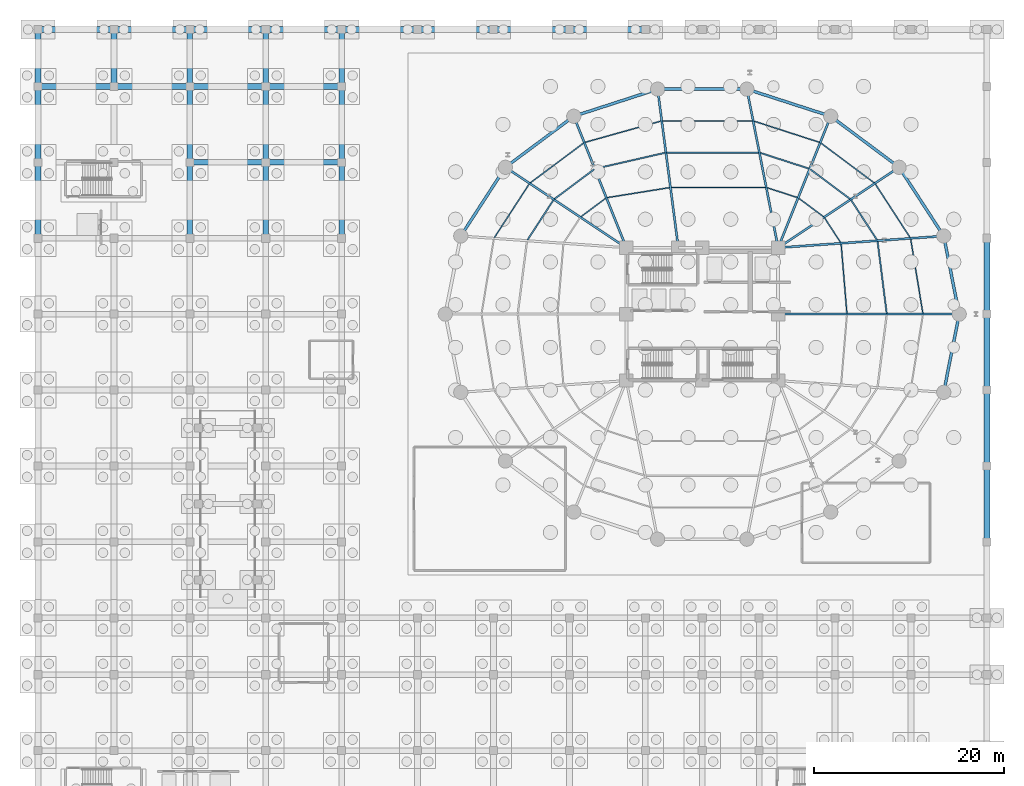
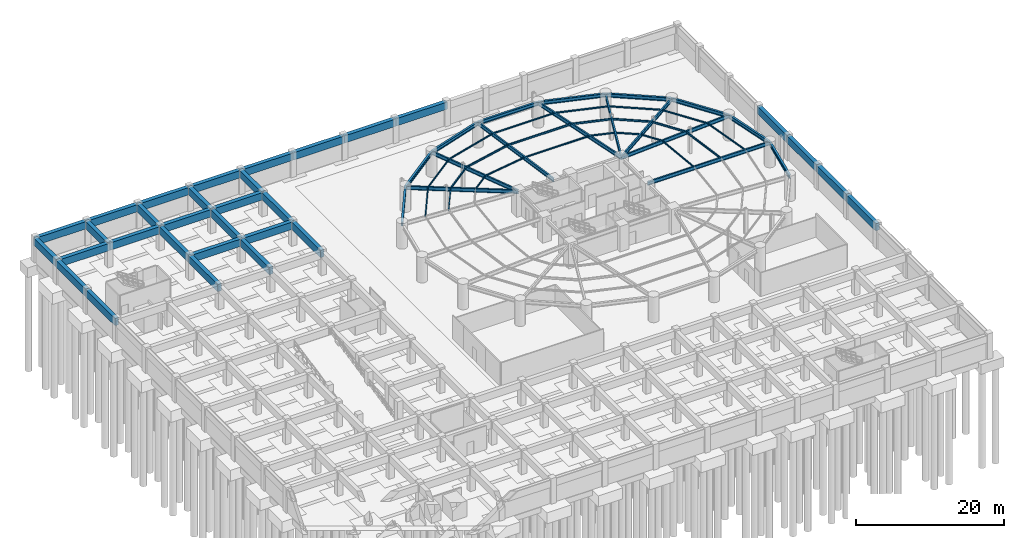
# One storey, part 10 of 23: 71 beams.
"""IFC4 building model written with IfcOpenShell, lengths in metres."""

from ifc_helpers import new_model, si_unit, direction, frame, origin, origin_2d, place, context, subcontext, project, spatial, rectangle, i_section, extrude, material, material_profile, profile_set, type_object, element, save


model = new_model("IFC4")

# Units and contexts
model_context = context("Model", 3, precision=1e-05, world=origin(), true_north=direction((0.0, 1.0)))
body_context = subcontext(model_context, "Body", "Model", "MODEL_VIEW")
ifc_project = project(units=[si_unit("LENGTHUNIT", "METRE"), si_unit("AREAUNIT", "SQUARE_METRE"), si_unit("VOLUMEUNIT", "CUBIC_METRE"), si_unit("PLANEANGLEUNIT", "RADIAN"), si_unit("MASSUNIT", "GRAM", prefix="KILO")], contexts=[model_context])

# Site, building, storey
site_placement = place(None, origin())
site = spatial("IfcSite", under=ifc_project, at=site_placement, CompositionType="ELEMENT")
building_placement = place(site_placement, origin())
building = spatial("IfcBuilding", under=site, at=building_placement, Name="Kelanora Arch Commons", CompositionType="ELEMENT")
storey_placement = place(building_placement, frame((0.0, 0.0, -8.39990234375)))
storey = spatial("IfcBuildingStorey", under=building, at=storey_placement, Name="B02", CompositionType="ELEMENT", Elevation=-8.39990234375)

# Beams
ifc_material_1 = material(Name="Concrete C45/55", Category="concrete")
ifc_material_profile_1 = material_profile(ifc_material_1, rectangle(XDim=0.60009765625, YDim=1.199951171875, at=origin_2d()), Name="RCB600x1200")
ifc_profile_set_1 = profile_set([ifc_material_profile_1], Name="Concrete C45/55")
beam_type_1 = type_object("IfcBeamType", Name="BM-BSMT-RC", PredefinedType="BEAM", material=ifc_profile_set_1)
for number, where, z_axis, x_axis, name in (
    (1, (4.0, 66.0, 3.2998046875), (0.0, 1.0, 0.0), (-1.0, 0.0, 0.0), "Market/Basement Frame Beam 018 B02"),
    (2, (4.0, 74.0, 3.2998046875), (0.0, 1.0, 0.0), (-1.0, 0.0, 0.0), "Market/Basement Frame Beam 019 B02"),
    (3, (4.0, 82.0, 3.2998046875), (1.0, 0.0, 0.0), (0.0, 1.0, 0.0), "Market/Basement Frame Beam 020 B02"),
):
    element("IfcBeam", number, at=place(storey_placement, frame(where, z_axis=z_axis, x_axis=x_axis)), inside=storey, type_object=beam_type_1, Name=name, PredefinedType="BEAM", context=body_context, shape_type="SweptSolid", body=[
        extrude(rectangle(XDim=0.60009765625, YDim=1.199951171875, at=origin_2d()), origin(), (0.0, 0.0, 1.0), 8.0),
    ])
beam_1_placement = place(storey_placement, frame((4.0, 82.0, 3.2998046875), z_axis=(0.0, 1.0, 0.0), x_axis=(-1.0, 0.0, 0.0)))
element("IfcBeam", 4, at=beam_1_placement, inside=storey, type_object=beam_type_1, Name="Market/Basement Frame Beam 021 B02", PredefinedType="BEAM", context=body_context, shape_type="SweptSolid", body=[
    extrude(rectangle(XDim=0.60009765625, YDim=1.199951171875, at=origin_2d()), origin(), (0.0, 0.0, 1.0), 6.0),
])
for number, where, z_axis, x_axis, name in (
    (5, (4.0, 88.0, 3.2998046875), (1.0, 0.0, 0.0), (0.0, 1.0, 0.0), "Market/Basement Frame Beam 022 B02"),
    (6, (12.0, 82.0, 3.2998046875), (1.0, 0.0, 0.0), (0.0, 1.0, 0.0), "Market/Basement Frame Beam 039 B02"),
):
    element("IfcBeam", number, at=place(storey_placement, frame(where, z_axis=z_axis, x_axis=x_axis)), inside=storey, type_object=beam_type_1, Name=name, PredefinedType="BEAM", context=body_context, shape_type="SweptSolid", body=[
        extrude(rectangle(XDim=0.60009765625, YDim=1.199951171875, at=origin_2d()), origin(), (0.0, 0.0, 1.0), 8.0),
    ])
beam_2_placement = place(storey_placement, frame((12.0, 82.0, 3.2998046875), z_axis=(0.0, 1.0, 0.0), x_axis=(-1.0, 0.0, 0.0)))
element("IfcBeam", 7, at=beam_2_placement, inside=storey, type_object=beam_type_1, Name="Market/Basement Frame Beam 040 B02", PredefinedType="BEAM", context=body_context, shape_type="SweptSolid", body=[
    extrude(rectangle(XDim=0.60009765625, YDim=1.199951171875, at=origin_2d()), origin(), (0.0, 0.0, 1.0), 6.0),
])
for number, where, z_axis, x_axis, name in (
    (8, (12.0, 88.0, 3.2998046875), (1.0, 0.0, 0.0), (0.0, 1.0, 0.0), "Market/Basement Frame Beam 041 B02"),
    (9, (20.0, 66.0, 3.2998046875), (0.0, 1.0, 0.0), (-1.0, 0.0, 0.0), "Market/Basement Frame Beam 057 B02"),
    (10, (20.0, 74.0, 3.2998046875), (1.0, 0.0, 0.0), (0.0, 1.0, 0.0), "Market/Basement Frame Beam 058 B02"),
    (11, (20.0, 74.0, 3.2998046875), (0.0, 1.0, 0.0), (-1.0, 0.0, 0.0), "Market/Basement Frame Beam 059 B02"),
    (12, (20.0, 82.0, 3.2998046875), (1.0, 0.0, 0.0), (0.0, 1.0, 0.0), "Market/Basement Frame Beam 060 B02"),
):
    element("IfcBeam", number, at=place(storey_placement, frame(where, z_axis=z_axis, x_axis=x_axis)), inside=storey, type_object=beam_type_1, Name=name, PredefinedType="BEAM", context=body_context, shape_type="SweptSolid", body=[
        extrude(rectangle(XDim=0.60009765625, YDim=1.199951171875, at=origin_2d()), origin(), (0.0, 0.0, 1.0), 8.0),
    ])
beam_3_placement = place(storey_placement, frame((20.0, 82.0, 3.2998046875), z_axis=(0.0, 1.0, 0.0), x_axis=(-1.0, 0.0, 0.0)))
element("IfcBeam", 13, at=beam_3_placement, inside=storey, type_object=beam_type_1, Name="Market/Basement Frame Beam 061 B02", PredefinedType="BEAM", context=body_context, shape_type="SweptSolid", body=[
    extrude(rectangle(XDim=0.60009765625, YDim=1.199951171875, at=origin_2d()), origin(), (0.0, 0.0, 1.0), 6.0),
])
for number, where, z_axis, x_axis, name in (
    (14, (20.0, 88.0, 3.2998046875), (1.0, 0.0, 0.0), (0.0, 1.0, 0.0), "Market/Basement Frame Beam 062 B02"),
    (15, (28.0, 66.0, 3.2998046875), (0.0, 1.0, 0.0), (-1.0, 0.0, 0.0), "Market/Basement Frame Beam 080 B02"),
    (16, (28.0, 74.0, 3.2998046875), (1.0, 0.0, 0.0), (0.0, 1.0, 0.0), "Market/Basement Frame Beam 081 B02"),
    (17, (28.0, 74.0, 3.2998046875), (0.0, 1.0, 0.0), (-1.0, 0.0, 0.0), "Market/Basement Frame Beam 082 B02"),
    (18, (28.0, 82.0, 3.2998046875), (1.0, 0.0, 0.0), (0.0, 1.0, 0.0), "Market/Basement Frame Beam 083 B02"),
):
    element("IfcBeam", number, at=place(storey_placement, frame(where, z_axis=z_axis, x_axis=x_axis)), inside=storey, type_object=beam_type_1, Name=name, PredefinedType="BEAM", context=body_context, shape_type="SweptSolid", body=[
        extrude(rectangle(XDim=0.60009765625, YDim=1.199951171875, at=origin_2d()), origin(), (0.0, 0.0, 1.0), 8.0),
    ])
beam_4_placement = place(storey_placement, frame((28.0, 82.0, 3.2998046875), z_axis=(0.0, 1.0, 0.0), x_axis=(-1.0, 0.0, 0.0)))
element("IfcBeam", 19, at=beam_4_placement, inside=storey, type_object=beam_type_1, Name="Market/Basement Frame Beam 084 B02", PredefinedType="BEAM", context=body_context, shape_type="SweptSolid", body=[
    extrude(rectangle(XDim=0.60009765625, YDim=1.199951171875, at=origin_2d()), origin(), (0.0, 0.0, 1.0), 6.0),
])
for number, where, z_axis, x_axis, name in (
    (20, (28.0, 88.0, 3.2998046875), (1.0, 0.0, 0.0), (0.0, 1.0, 0.0), "Market/Basement Frame Beam 085 B02"),
    (21, (36.0, 66.0, 3.2998046875), (0.0, 1.0, 0.0), (-1.0, 0.0, 0.0), "Market/Basement Frame Beam 098 B02"),
    (22, (36.0, 74.0, 3.2998046875), (0.0, 1.0, 0.0), (-1.0, 0.0, 0.0), "Market/Basement Frame Beam 099 B02"),
):
    element("IfcBeam", number, at=place(storey_placement, frame(where, z_axis=z_axis, x_axis=x_axis)), inside=storey, type_object=beam_type_1, Name=name, PredefinedType="BEAM", context=body_context, shape_type="SweptSolid", body=[
        extrude(rectangle(XDim=0.60009765625, YDim=1.199951171875, at=origin_2d()), origin(), (0.0, 0.0, 1.0), 8.0),
    ])
beam_5_placement = place(storey_placement, frame((36.0, 82.0, 3.2998046875), z_axis=(0.0, 1.0, 0.0), x_axis=(-1.0, 0.0, 0.0)))
element("IfcBeam", 23, at=beam_5_placement, inside=storey, type_object=beam_type_1, Name="Market/Basement Frame Beam 100 B02", PredefinedType="BEAM", context=body_context, shape_type="SweptSolid", body=[
    extrude(rectangle(XDim=0.60009765625, YDim=1.199951171875, at=origin_2d()), origin(), (0.0, 0.0, 1.0), 6.0),
])
for number, where, z_axis, x_axis, name in (
    (24, (36.0, 88.0, 3.2998046875), (1.0, 0.0, 0.0), (0.0, 1.0, 0.0), "Market/Basement Frame Beam 101 B02"),
    (25, (44.0, 88.0, 3.2998046875), (1.0, 0.0, 0.0), (0.0, 1.0, 0.0), "Market/Basement Frame Beam 109 B02"),
    (26, (52.0, 88.0, 3.2998046875), (1.0, 0.0, 0.0), (0.0, 1.0, 0.0), "Market/Basement Frame Beam 117 B02"),
    (27, (60.0, 88.0, 3.2998046875), (1.0, 0.0, 0.0), (0.0, 1.0, 0.0), "Market/Basement Frame Beam 125 B02"),
    (28, (104.0, 34.0, 3.2998046875), (0.0, 1.0, 0.0), (-1.0, 0.0, 0.0), "Market/Basement Frame Beam 169 B02"),
    (29, (104.0, 42.0, 3.2998046875), (0.0, 1.0, 0.0), (-1.0, 0.0, 0.0), "Market/Basement Frame Beam 170 B02"),
    (30, (104.0, 50.0, 3.2998046875), (0.0, 1.0, 0.0), (-1.0, 0.0, 0.0), "Market/Basement Frame Beam 171 B02"),
    (31, (104.0, 58.0, 3.2998046875), (0.0, 1.0, 0.0), (-1.0, 0.0, 0.0), "Market/Basement Frame Beam 172 B02"),
):
    element("IfcBeam", number, at=place(storey_placement, frame(where, z_axis=z_axis, x_axis=x_axis)), inside=storey, type_object=beam_type_1, Name=name, PredefinedType="BEAM", context=body_context, shape_type="SweptSolid", body=[
        extrude(rectangle(XDim=0.60009765625, YDim=1.199951171875, at=origin_2d()), origin(), (0.0, 0.0, 1.0), 8.0),
    ])
ifc_material_2 = material(Name="Steel S355", Category="steel")
ifc_material_profile_2 = material_profile(ifc_material_2, i_section(OverallWidth=0.14990234375, OverallDepth=0.300048828125, WebThickness=0.007080078125, FlangeThickness=0.0107421875, FilletRadius=0.014892578125, at=origin_2d()), Name="IPE300")
ifc_profile_set_2 = profile_set([ifc_material_profile_2], Name="Steel S355")
beam_type_2 = type_object("IfcBeamType", Name="BM-JST-01", PredefinedType="JOIST", material=ifc_profile_set_2)
beam_6_placement = place(storey_placement, frame((93.437255859375, 58.084228515625, 3.75), z_axis=(-0.125565841651, 0.992085288375, 0.0), x_axis=(-0.992085288375, -0.125565841651, 0.0)))
element("IfcBeam", 32, at=beam_6_placement, inside=storey, type_object=beam_type_2, Name="Secondary Chord Joist BJB-00 B02", PredefinedType="JOIST", context=body_context, shape_type="SweptSolid", body=[
    extrude(i_section(OverallWidth=0.14990234375, OverallDepth=0.300048828125, WebThickness=0.007080078125, FlangeThickness=0.0107421875, FilletRadius=0.014892578125, at=origin_2d()), origin(), (0.0, 0.0, 1.0), 7.63330078125),
])
beam_7_placement = place(storey_placement, frame((92.421875, 65.812744140625, 3.75), z_axis=(-0.544551588245, 0.838727350061, 0.0), x_axis=(-0.838727350061, -0.544551588245, 0.0)))
element("IfcBeam", 33, at=beam_7_placement, inside=storey, type_object=beam_type_2, Name="Secondary Chord Joist BJB-02 B02", PredefinedType="JOIST", context=body_context, shape_type="SweptSolid", body=[
    extrude(i_section(OverallWidth=0.14990234375, OverallDepth=0.300048828125, WebThickness=0.007080078125, FlangeThickness=0.0107421875, FilletRadius=0.014892578125, at=origin_2d()), origin(), (0.0, 0.0, 1.0), 5.010986328125),
])
beam_8_placement = place(storey_placement, frame((89.57861328125, 70.1376953125, 3.75), z_axis=(-0.801478251559, 0.598023922831, 0.0), x_axis=(-0.598023922831, -0.801478251559, 0.0)))
element("IfcBeam", 34, at=beam_8_placement, inside=storey, type_object=beam_type_2, Name="Secondary Chord Joist BJB-04 B02", PredefinedType="JOIST", context=body_context, shape_type="SweptSolid", body=[
    extrude(i_section(OverallWidth=0.14990234375, OverallDepth=0.300048828125, WebThickness=0.007080078125, FlangeThickness=0.0107421875, FilletRadius=0.014892578125, at=origin_2d()), origin(), (0.0, 0.0, 1.0), 5.223388671875),
])
beam_9_placement = place(storey_placement, frame((85.2431640625, 73.33837890625, 3.75), z_axis=(-0.951412209627, 0.307920131482, 0.0), x_axis=(-0.307920131482, -0.951412209627, 0.0)))
element("IfcBeam", 35, at=beam_9_placement, inside=storey, type_object=beam_type_2, Name="Secondary Chord Joist BJB-06 B02", PredefinedType="JOIST", context=body_context, shape_type="SweptSolid", body=[
    extrude(i_section(OverallWidth=0.14990234375, OverallDepth=0.300048828125, WebThickness=0.007080078125, FlangeThickness=0.0107421875, FilletRadius=0.014892578125, at=origin_2d()), origin(), (0.0, 0.0, 1.0), 5.4033203125),
])
beam_10_placement = place(storey_placement, frame((79.936279296875, 75.028564453125, 3.75), z_axis=(-1.0, 0.0, 0.0), x_axis=(0.0, -1.0, 0.0)))
element("IfcBeam", 36, at=beam_10_placement, inside=storey, type_object=beam_type_2, Name="Secondary Chord Joist BJB-08 B02", PredefinedType="JOIST", context=body_context, shape_type="SweptSolid", body=[
    extrude(i_section(OverallWidth=0.14990234375, OverallDepth=0.300048828125, WebThickness=0.007080078125, FlangeThickness=0.0107421875, FilletRadius=0.014892578125, at=origin_2d()), origin(), (0.0, 0.0, 1.0), 9.6806640625),
])
beam_11_placement = place(storey_placement, frame((70.087646484375, 75.009521484375, 3.75), z_axis=(-0.974770159254, -0.223210968877, 0.0), x_axis=(0.223210968877, -0.974770159254, 0.0)))
element("IfcBeam", 37, at=beam_11_placement, inside=storey, type_object=beam_type_2, Name="Secondary Chord Joist BJB-10 B02", PredefinedType="JOIST", context=body_context, shape_type="SweptSolid", body=[
    extrude(i_section(OverallWidth=0.14990234375, OverallDepth=0.300048828125, WebThickness=0.007080078125, FlangeThickness=0.0107421875, FilletRadius=0.014892578125, at=origin_2d()), origin(), (0.0, 0.0, 1.0), 7.5185546875),
])
beam_12_placement = place(storey_placement, frame((62.60791015625, 73.261474609375, 3.75), z_axis=(-0.801478251559, -0.598023922831, 0.0), x_axis=(0.598023922831, -0.801478251559, 0.0)))
element("IfcBeam", 38, at=beam_12_placement, inside=storey, type_object=beam_type_2, Name="Secondary Chord Joist BJB-12 B02", PredefinedType="JOIST", context=body_context, shape_type="SweptSolid", body=[
    extrude(i_section(OverallWidth=0.14990234375, OverallDepth=0.300048828125, WebThickness=0.007080078125, FlangeThickness=0.0107421875, FilletRadius=0.014892578125, at=origin_2d()), origin(), (0.0, 0.0, 1.0), 5.223388671875),
])
beam_13_placement = place(storey_placement, frame((58.306884765625, 70.015625, 3.75), z_axis=(-0.544551588245, -0.838727350061, 0.0), x_axis=(0.838727350061, -0.544551588245, 0.0)))
element("IfcBeam", 39, at=beam_13_placement, inside=storey, type_object=beam_type_2, Name="Secondary Chord Joist BJB-14 B02", PredefinedType="JOIST", context=body_context, shape_type="SweptSolid", body=[
    extrude(i_section(OverallWidth=0.14990234375, OverallDepth=0.300048828125, WebThickness=0.007080078125, FlangeThickness=0.0107421875, FilletRadius=0.014892578125, at=origin_2d()), origin(), (0.0, 0.0, 1.0), 5.010986328125),
])
ifc_material_profile_3 = material_profile(ifc_material_2, i_section(OverallWidth=0.1201171875, OverallDepth=0.239990234375, WebThickness=0.006103515625, FlangeThickness=0.009765625, FilletRadius=0.014892578125, at=origin_2d()), Name="IPE240")
ifc_profile_set_3 = profile_set([ifc_material_profile_3], Name="Steel S355")
beam_type_3 = type_object("IfcBeamType", Name="BM-JST-02", PredefinedType="JOIST", material=ifc_profile_set_3)
beam_14_placement = place(storey_placement, frame((89.243408203125, 58.084716796875, 3.77978515625), z_axis=(-0.082786209886, 0.996567330115, 0.0), x_axis=(-0.996567330115, -0.082786209886, 0.0)))
element("IfcBeam", 40, at=beam_14_placement, inside=storey, type_object=beam_type_3, Name="Secondary Chord Joist BJA-00 B02", PredefinedType="JOIST", context=body_context, shape_type="SweptSolid", body=[
    extrude(i_section(OverallWidth=0.1201171875, OverallDepth=0.239990234375, WebThickness=0.006103515625, FlangeThickness=0.009765625, FilletRadius=0.014892578125, at=origin_2d()), origin(), (0.0, 0.0, 1.0), 7.325439453125),
])
beam_15_placement = place(storey_placement, frame((97.250244140625, 58.083984375, 3.77978515625), z_axis=(-0.161400737199, 0.986888951216, 0.0), x_axis=(-0.986888951216, -0.161400737199, 0.0)))
element("IfcBeam", 41, at=beam_15_placement, inside=storey, type_object=beam_type_3, Name="Secondary Chord Joist BJC-00 B02", PredefinedType="JOIST", context=body_context, shape_type="SweptSolid", body=[
    extrude(i_section(OverallWidth=0.1201171875, OverallDepth=0.239990234375, WebThickness=0.006103515625, FlangeThickness=0.009765625, FilletRadius=0.014892578125, at=origin_2d()), origin(), (0.0, 0.0, 1.0), 7.9248046875),
])
beam_16_placement = place(storey_placement, frame((88.58349609375, 65.541015625, 3.77978515625), z_axis=(-0.544591105858, 0.838701691557, 0.0), x_axis=(-0.838701691557, -0.544591105858, 0.0)))
element("IfcBeam", 42, at=beam_16_placement, inside=storey, type_object=beam_type_3, Name="Secondary Chord Joist BJA-02 B02", PredefinedType="JOIST", context=body_context, shape_type="SweptSolid", body=[
    extrude(i_section(OverallWidth=0.1201171875, OverallDepth=0.239990234375, WebThickness=0.006103515625, FlangeThickness=0.009765625, FilletRadius=0.014892578125, at=origin_2d()), origin(), (0.0, 0.0, 1.0), 3.111328125),
])
beam_17_placement = place(storey_placement, frame((95.9111328125, 66.059814453125, 3.77978515625), z_axis=(-0.544550165372, 0.838728273873, 0.0), x_axis=(-0.838728273873, -0.544550165372, 0.0)))
element("IfcBeam", 43, at=beam_17_placement, inside=storey, type_object=beam_type_3, Name="Secondary Chord Joist BJC-02 B02", PredefinedType="JOIST", context=body_context, shape_type="SweptSolid", body=[
    extrude(i_section(OverallWidth=0.1201171875, OverallDepth=0.239990234375, WebThickness=0.006103515625, FlangeThickness=0.009765625, FilletRadius=0.014892578125, at=origin_2d()), origin(), (0.0, 0.0, 1.0), 6.738037109375),
])
beam_18_placement = place(storey_placement, frame((86.77490234375, 68.272705078125, 3.77978515625), z_axis=(-0.801513822608, 0.59797624716, 0.0), x_axis=(-0.59797624716, -0.801513822608, 0.0)))
element("IfcBeam", 44, at=beam_18_placement, inside=storey, type_object=beam_type_3, Name="Secondary Chord Joist BJA-04 B02", PredefinedType="JOIST", context=body_context, shape_type="SweptSolid", body=[
    extrude(i_section(OverallWidth=0.1201171875, OverallDepth=0.239990234375, WebThickness=0.006103515625, FlangeThickness=0.009765625, FilletRadius=0.014892578125, at=origin_2d()), origin(), (0.0, 0.0, 1.0), 3.245849609375),
])
beam_19_placement = place(storey_placement, frame((92.12744140625, 71.83349609375, 3.77978515625), z_axis=(-0.80149131963, 0.598006408459, 0.0), x_axis=(-0.598006408459, -0.80149131963, 0.0)))
element("IfcBeam", 45, at=beam_19_placement, inside=storey, type_object=beam_type_3, Name="Secondary Chord Joist BJC-04 B02", PredefinedType="JOIST", context=body_context, shape_type="SweptSolid", body=[
    extrude(i_section(OverallWidth=0.1201171875, OverallDepth=0.239990234375, WebThickness=0.006103515625, FlangeThickness=0.009765625, FilletRadius=0.014892578125, at=origin_2d()), origin(), (0.0, 0.0, 1.0), 7.021240234375),
])
beam_20_placement = place(storey_placement, frame((84.0244140625, 70.290771484375, 3.77978515625), z_axis=(-0.951422608074, 0.30788800049, 0.0), x_axis=(-0.30788800049, -0.951422608074, 0.0)))
element("IfcBeam", 46, at=beam_20_placement, inside=storey, type_object=beam_type_3, Name="Secondary Chord Joist BJA-06 B02", PredefinedType="JOIST", context=body_context, shape_type="SweptSolid", body=[
    extrude(i_section(OverallWidth=0.1201171875, OverallDepth=0.239990234375, WebThickness=0.006103515625, FlangeThickness=0.009765625, FilletRadius=0.014892578125, at=origin_2d()), origin(), (0.0, 0.0, 1.0), 3.359619140625),
])
beam_21_placement = place(storey_placement, frame((86.35107421875, 76.109375, 3.77978515625), z_axis=(-0.951410915705, 0.307924129418, 0.0), x_axis=(-0.307924129418, -0.951410915705, 0.0)))
element("IfcBeam", 47, at=beam_21_placement, inside=storey, type_object=beam_type_3, Name="Secondary Chord Joist BJC-06 B02", PredefinedType="JOIST", context=body_context, shape_type="SweptSolid", body=[
    extrude(i_section(OverallWidth=0.1201171875, OverallDepth=0.239990234375, WebThickness=0.006103515625, FlangeThickness=0.009765625, FilletRadius=0.014892578125, at=origin_2d()), origin(), (0.0, 0.0, 1.0), 7.260986328125),
])
beam_22_placement = place(storey_placement, frame((80.661865234375, 71.351318359375, 3.77978515625), z_axis=(-1.0, 0.0, 0.0), x_axis=(0.0, -1.0, 0.0)))
element("IfcBeam", 48, at=beam_22_placement, inside=storey, type_object=beam_type_3, Name="Secondary Chord Joist BJA-08 B02", PredefinedType="JOIST", context=body_context, shape_type="SweptSolid", body=[
    extrude(i_section(OverallWidth=0.1201171875, OverallDepth=0.239990234375, WebThickness=0.006103515625, FlangeThickness=0.009765625, FilletRadius=0.014892578125, at=origin_2d()), origin(), (0.0, 0.0, 1.0), 9.92626953125),
])
beam_23_placement = place(storey_placement, frame((79.27685546875, 78.371337890625, 3.77978515625), z_axis=(-1.0, 0.0, 0.0), x_axis=(0.0, -1.0, 0.0)))
element("IfcBeam", 49, at=beam_23_placement, inside=storey, type_object=beam_type_3, Name="Secondary Chord Joist BJC-08 B02", PredefinedType="JOIST", context=body_context, shape_type="SweptSolid", body=[
    extrude(i_section(OverallWidth=0.1201171875, OverallDepth=0.239990234375, WebThickness=0.006103515625, FlangeThickness=0.009765625, FilletRadius=0.014892578125, at=origin_2d()), origin(), (0.0, 0.0, 1.0), 9.457763671875),
])
beam_24_placement = place(storey_placement, frame((70.56689453125, 71.337890625, 3.77978515625), z_axis=(-0.987306715654, -0.158825215959, 0.0), x_axis=(0.158825215959, -0.987306715654, 0.0)))
element("IfcBeam", 50, at=beam_24_placement, inside=storey, type_object=beam_type_3, Name="Secondary Chord Joist BJA-10 B02", PredefinedType="JOIST", context=body_context, shape_type="SweptSolid", body=[
    extrude(i_section(OverallWidth=0.1201171875, OverallDepth=0.239990234375, WebThickness=0.006103515625, FlangeThickness=0.009765625, FilletRadius=0.014892578125, at=origin_2d()), origin(), (0.0, 0.0, 1.0), 6.6728515625),
])
beam_25_placement = place(storey_placement, frame((69.652099609375, 78.348388671875, 3.77978515625), z_axis=(-0.962914880978, -0.269805359456, 0.0), x_axis=(0.269805359456, -0.962914880978, 0.0)))
element("IfcBeam", 51, at=beam_25_placement, inside=storey, type_object=beam_type_3, Name="Secondary Chord Joist BJC-10 B02", PredefinedType="JOIST", context=body_context, shape_type="SweptSolid", body=[
    extrude(i_section(OverallWidth=0.1201171875, OverallDepth=0.239990234375, WebThickness=0.006103515625, FlangeThickness=0.009765625, FilletRadius=0.014892578125, at=origin_2d()), origin(), (0.0, 0.0, 1.0), 8.310302734375),
])
beam_26_placement = place(storey_placement, frame((63.82666015625, 70.213623046875, 3.77978515625), z_axis=(-0.801513822608, -0.59797624716, 0.0), x_axis=(0.59797624716, -0.801513822608, 0.0)))
element("IfcBeam", 52, at=beam_26_placement, inside=storey, type_object=beam_type_3, Name="Secondary Chord Joist BJA-12 B02", PredefinedType="JOIST", context=body_context, shape_type="SweptSolid", body=[
    extrude(i_section(OverallWidth=0.1201171875, OverallDepth=0.239990234375, WebThickness=0.006103515625, FlangeThickness=0.009765625, FilletRadius=0.014892578125, at=origin_2d()), origin(), (0.0, 0.0, 1.0), 3.245849609375),
])
beam_27_placement = place(storey_placement, frame((61.5, 76.0322265625, 3.77978515625), z_axis=(-0.80149131963, -0.598006408459, 0.0), x_axis=(0.598006408459, -0.80149131963, 0.0)))
element("IfcBeam", 53, at=beam_27_placement, inside=storey, type_object=beam_type_3, Name="Secondary Chord Joist BJC-12 B02", PredefinedType="JOIST", context=body_context, shape_type="SweptSolid", body=[
    extrude(i_section(OverallWidth=0.1201171875, OverallDepth=0.239990234375, WebThickness=0.006103515625, FlangeThickness=0.009765625, FilletRadius=0.014892578125, at=origin_2d()), origin(), (0.0, 0.0, 1.0), 7.021240234375),
])
beam_28_placement = place(storey_placement, frame((55.758056640625, 71.711181640625, 3.77978515625), z_axis=(-0.544550165372, -0.838728273873, 0.0), x_axis=(0.838728273873, -0.544550165372, 0.0)))
element("IfcBeam", 54, at=beam_28_placement, inside=storey, type_object=beam_type_3, Name="Secondary Chord Joist BJC-14 B02", PredefinedType="JOIST", context=body_context, shape_type="SweptSolid", body=[
    extrude(i_section(OverallWidth=0.1201171875, OverallDepth=0.239990234375, WebThickness=0.006103515625, FlangeThickness=0.009765625, FilletRadius=0.014892578125, at=origin_2d()), origin(), (0.0, 0.0, 1.0), 6.738037109375),
])
ifc_material_profile_4 = material_profile(ifc_material_2, i_section(OverallWidth=0.219970703125, OverallDepth=0.60009765625, WebThickness=0.011962890625, FlangeThickness=0.01904296875, FilletRadius=0.02392578125, at=origin_2d()), Name="IPE600")
ifc_profile_set_4 = profile_set([ifc_material_profile_4], Name="Steel S355")
beam_type_4 = type_object("IfcBeamType", Name="BM-RAD-Z1", PredefinedType="BEAM", material=ifc_profile_set_4)
beam_29_placement = place(storey_placement, frame((82.0, 58.0, 3.599853515625), z_axis=(1.0, 0.0, 0.0), x_axis=(0.0, 1.0, 0.0)))
element("IfcBeam", 55, at=beam_29_placement, inside=storey, type_object=beam_type_4, Name="Radial Floor Girder BR-00 B02", PredefinedType="BEAM", context=body_context, shape_type="SweptSolid", body=[
    extrude(i_section(OverallWidth=0.219970703125, OverallDepth=0.60009765625, WebThickness=0.011962890625, FlangeThickness=0.01904296875, FilletRadius=0.02392578125, at=origin_2d()), origin(), (0.0, 0.0, 1.0), 19.080078125),
])
beam_30_placement = place(storey_placement, frame((82.0, 65.0, 3.599853515625), z_axis=(0.997500683472, 0.070656821848, 0.0), x_axis=(-0.070656821848, 0.997500683472, 0.0)))
element("IfcBeam", 56, at=beam_30_placement, inside=storey, type_object=beam_type_4, Name="Radial Floor Girder BR-02 B02", PredefinedType="BEAM", context=body_context, shape_type="SweptSolid", body=[
    extrude(i_section(OverallWidth=0.219970703125, OverallDepth=0.60009765625, WebThickness=0.011962890625, FlangeThickness=0.01904296875, FilletRadius=0.02392578125, at=origin_2d()), origin(), (0.0, 0.0, 1.0), 17.49072265625),
])
beam_31_placement = place(storey_placement, frame((82.0, 65.0, 3.599853515625), z_axis=(0.832592187754, 0.553886494591, 0.0), x_axis=(-0.553886494591, 0.832592187754, 0.0)))
element("IfcBeam", 57, at=beam_31_placement, inside=storey, type_object=beam_type_4, Name="Radial Floor Girder BR-04 B02", PredefinedType="BEAM", context=body_context, shape_type="SweptSolid", body=[
    extrude(i_section(OverallWidth=0.219970703125, OverallDepth=0.60009765625, WebThickness=0.011962890625, FlangeThickness=0.01904296875, FilletRadius=0.02392578125, at=origin_2d()), origin(), (0.0, 0.0, 1.0), 15.306884765625),
])
beam_32_placement = place(storey_placement, frame((82.0, 65.0, 3.599853515625), z_axis=(0.371300398117, 0.928512797089, 0.0), x_axis=(-0.928512797089, 0.371300398117, 0.0)))
element("IfcBeam", 58, at=beam_32_placement, inside=storey, type_object=beam_type_4, Name="Radial Floor Girder BR-06 B02", PredefinedType="BEAM", context=body_context, shape_type="SweptSolid", body=[
    extrude(i_section(OverallWidth=0.219970703125, OverallDepth=0.60009765625, WebThickness=0.011962890625, FlangeThickness=0.01904296875, FilletRadius=0.02392578125, at=origin_2d()), origin(), (0.0, 0.0, 1.0), 14.920654296875),
])
beam_33_placement = place(storey_placement, frame((82.0, 65.0, 3.599853515625), z_axis=(-0.19356352044, 0.981087745084, 0.0), x_axis=(-0.981087745084, -0.19356352044, 0.0)))
element("IfcBeam", 59, at=beam_33_placement, inside=storey, type_object=beam_type_4, Name="Radial Floor Girder BR-08 B02", PredefinedType="BEAM", context=body_context, shape_type="SweptSolid", body=[
    extrude(i_section(OverallWidth=0.219970703125, OverallDepth=0.60009765625, WebThickness=0.011962890625, FlangeThickness=0.01904296875, FilletRadius=0.02392578125, at=origin_2d()), origin(), (0.0, 0.0, 1.0), 17.036376953125),
])
beam_34_placement = place(storey_placement, frame((71.47998046875, 65.0, 3.599853515625), z_axis=(-0.129471691865, 0.991583118556, 0.0), x_axis=(-0.991583118556, -0.129471691865, 0.0)))
element("IfcBeam", 60, at=beam_34_placement, inside=storey, type_object=beam_type_4, Name="Radial Floor Girder BR-10 B02", PredefinedType="BEAM", context=body_context, shape_type="SweptSolid", body=[
    extrude(i_section(OverallWidth=0.219970703125, OverallDepth=0.60009765625, WebThickness=0.011962890625, FlangeThickness=0.01904296875, FilletRadius=0.02392578125, at=origin_2d()), origin(), (0.0, 0.0, 1.0), 16.85595703125),
])
beam_35_placement = place(storey_placement, frame((66.0, 65.0, 3.599853515625), z_axis=(-0.371300398117, 0.928512797089, 0.0), x_axis=(-0.928512797089, -0.371300398117, 0.0)))
element("IfcBeam", 61, at=beam_35_placement, inside=storey, type_object=beam_type_4, Name="Radial Floor Girder BR-12 B02", PredefinedType="BEAM", context=body_context, shape_type="SweptSolid", body=[
    extrude(i_section(OverallWidth=0.219970703125, OverallDepth=0.60009765625, WebThickness=0.011962890625, FlangeThickness=0.01904296875, FilletRadius=0.02392578125, at=origin_2d()), origin(), (0.0, 0.0, 1.0), 14.920654296875),
])
beam_36_placement = place(storey_placement, frame((66.0, 65.0, 3.599853515625), z_axis=(-0.832592187754, 0.553886494591, 0.0), x_axis=(-0.553886494591, -0.832592187754, 0.0)))
element("IfcBeam", 62, at=beam_36_placement, inside=storey, type_object=beam_type_4, Name="Radial Floor Girder BR-14 B02", PredefinedType="BEAM", context=body_context, shape_type="SweptSolid", body=[
    extrude(i_section(OverallWidth=0.219970703125, OverallDepth=0.60009765625, WebThickness=0.011962890625, FlangeThickness=0.01904296875, FilletRadius=0.02392578125, at=origin_2d()), origin(), (0.0, 0.0, 1.0), 15.306884765625),
])
ifc_material_profile_5 = material_profile(ifc_material_2, i_section(OverallWidth=0.300048828125, OverallDepth=0.60009765625, WebThickness=0.015380859375, FlangeThickness=0.030029296875, FilletRadius=0.027099609375, at=origin_2d()), Name="HEB600")
ifc_profile_set_5 = profile_set([ifc_material_profile_5], Name="Steel S355")
beam_type_5 = type_object("IfcBeamType", Name="BM-SPN-Z1", PredefinedType="SPANDREL", material=ifc_profile_set_5)
beam_37_placement = place(storey_placement, frame((101.080078125, 58.0, 3.599853515625), z_axis=(-0.194499827256, 0.980902552345, 0.0), x_axis=(-0.980902552345, -0.194499827256, 0.0)))
element("IfcBeam", 63, at=beam_37_placement, inside=storey, type_object=beam_type_5, Name="Perimeter Spandrel Beam BS-00 B02", PredefinedType="SPANDREL", context=body_context, shape_type="SweptSolid", body=[
    extrude(i_section(OverallWidth=0.300048828125, OverallDepth=0.60009765625, WebThickness=0.015380859375, FlangeThickness=0.030029296875, FilletRadius=0.027099609375, at=origin_2d()), origin(), (0.0, 0.0, 1.0), 8.396240234375),
])
beam_38_placement = place(storey_placement, frame((99.447021484375, 66.23583984375, 3.599853515625), z_axis=(-0.544585813928, 0.838705127722, 0.0), x_axis=(-0.838705127722, -0.544585813928, 0.0)))
element("IfcBeam", 64, at=beam_38_placement, inside=storey, type_object=beam_type_5, Name="Perimeter Spandrel Beam BS-02 B02", PredefinedType="SPANDREL", context=body_context, shape_type="SweptSolid", body=[
    extrude(i_section(OverallWidth=0.300048828125, OverallDepth=0.60009765625, WebThickness=0.015380859375, FlangeThickness=0.030029296875, FilletRadius=0.027099609375, at=origin_2d()), origin(), (0.0, 0.0, 1.0), 8.63525390625),
])
beam_39_placement = place(storey_placement, frame((94.744384765625, 73.478271484375, 3.599853515625), z_axis=(-0.801467504127, 0.598038326388, 0.0), x_axis=(-0.598038326388, -0.801467504127, 0.0)))
element("IfcBeam", 65, at=beam_39_placement, inside=storey, type_object=beam_type_5, Name="Perimeter Spandrel Beam BS-04 B02", PredefinedType="SPANDREL", context=body_context, shape_type="SweptSolid", body=[
    extrude(i_section(OverallWidth=0.300048828125, OverallDepth=0.60009765625, WebThickness=0.015380859375, FlangeThickness=0.030029296875, FilletRadius=0.027099609375, at=origin_2d()), origin(), (0.0, 0.0, 1.0), 8.989013671875),
])
beam_40_placement = place(storey_placement, frame((87.5400390625, 78.85400390625, 3.599853515625), z_axis=(-0.951417120402, 0.307904957748, 0.0), x_axis=(-0.307904957748, -0.951417120402, 0.0)))
element("IfcBeam", 66, at=beam_40_placement, inside=storey, type_object=beam_type_5, Name="Perimeter Spandrel Beam BS-06 B02", PredefinedType="SPANDREL", context=body_context, shape_type="SweptSolid", body=[
    extrude(i_section(OverallWidth=0.300048828125, OverallDepth=0.60009765625, WebThickness=0.015380859375, FlangeThickness=0.030029296875, FilletRadius=0.027099609375, at=origin_2d()), origin(), (0.0, 0.0, 1.0), 9.288818359375),
])
beam_41_placement = place(storey_placement, frame((78.702392578125, 81.714111328125, 3.599853515625), z_axis=(-1.0, 0.0, 0.0), x_axis=(0.0, -1.0, 0.0)))
element("IfcBeam", 67, at=beam_41_placement, inside=storey, type_object=beam_type_5, Name="Perimeter Spandrel Beam BS-08 B02", PredefinedType="SPANDREL", context=body_context, shape_type="SweptSolid", body=[
    extrude(i_section(OverallWidth=0.300048828125, OverallDepth=0.60009765625, WebThickness=0.015380859375, FlangeThickness=0.030029296875, FilletRadius=0.027099609375, at=origin_2d()), origin(), (0.0, 0.0, 1.0), 9.40478515625),
])
beam_42_placement = place(storey_placement, frame((69.297607421875, 81.714111328125, 3.599853515625), z_axis=(-0.951417120402, -0.307904957748, 0.0), x_axis=(0.307904957748, -0.951417120402, 0.0)))
element("IfcBeam", 68, at=beam_42_placement, inside=storey, type_object=beam_type_5, Name="Perimeter Spandrel Beam BS-10 B02", PredefinedType="SPANDREL", context=body_context, shape_type="SweptSolid", body=[
    extrude(i_section(OverallWidth=0.300048828125, OverallDepth=0.60009765625, WebThickness=0.015380859375, FlangeThickness=0.030029296875, FilletRadius=0.027099609375, at=origin_2d()), origin(), (0.0, 0.0, 1.0), 9.288818359375),
])
beam_43_placement = place(storey_placement, frame((60.4599609375, 78.85400390625, 3.599853515625), z_axis=(-0.801467504127, -0.598038326388, 0.0), x_axis=(0.598038326388, -0.801467504127, 0.0)))
element("IfcBeam", 69, at=beam_43_placement, inside=storey, type_object=beam_type_5, Name="Perimeter Spandrel Beam BS-12 B02", PredefinedType="SPANDREL", context=body_context, shape_type="SweptSolid", body=[
    extrude(i_section(OverallWidth=0.300048828125, OverallDepth=0.60009765625, WebThickness=0.015380859375, FlangeThickness=0.030029296875, FilletRadius=0.027099609375, at=origin_2d()), origin(), (0.0, 0.0, 1.0), 8.989013671875),
])
beam_44_placement = place(storey_placement, frame((53.255615234375, 73.478271484375, 3.599853515625), z_axis=(-0.544585813928, -0.838705127722, 0.0), x_axis=(0.838705127722, -0.544585813928, 0.0)))
element("IfcBeam", 70, at=beam_44_placement, inside=storey, type_object=beam_type_5, Name="Perimeter Spandrel Beam BS-14 B02", PredefinedType="SPANDREL", context=body_context, shape_type="SweptSolid", body=[
    extrude(i_section(OverallWidth=0.300048828125, OverallDepth=0.60009765625, WebThickness=0.015380859375, FlangeThickness=0.030029296875, FilletRadius=0.027099609375, at=origin_2d()), origin(), (0.0, 0.0, 1.0), 8.63525390625),
])
beam_45_placement = place(storey_placement, frame((99.447021484375, 49.76416015625, 3.599853515625), z_axis=(0.194499827256, 0.980902552345, 0.0), x_axis=(-0.980902552345, 0.194499827256, 0.0)))
element("IfcBeam", 71, at=beam_45_placement, inside=storey, type_object=beam_type_5, Name="Perimeter Spandrel Beam BS-34 B02", PredefinedType="SPANDREL", context=body_context, shape_type="SweptSolid", body=[
    extrude(i_section(OverallWidth=0.300048828125, OverallDepth=0.60009765625, WebThickness=0.015380859375, FlangeThickness=0.030029296875, FilletRadius=0.027099609375, at=origin_2d()), origin(), (0.0, 0.0, 1.0), 8.396240234375),
])

save(model, "model.ifc")
